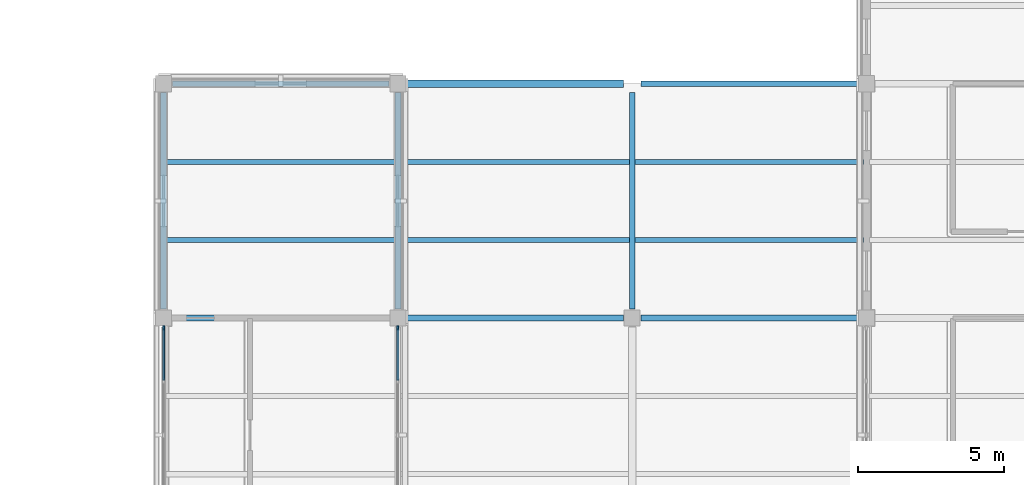
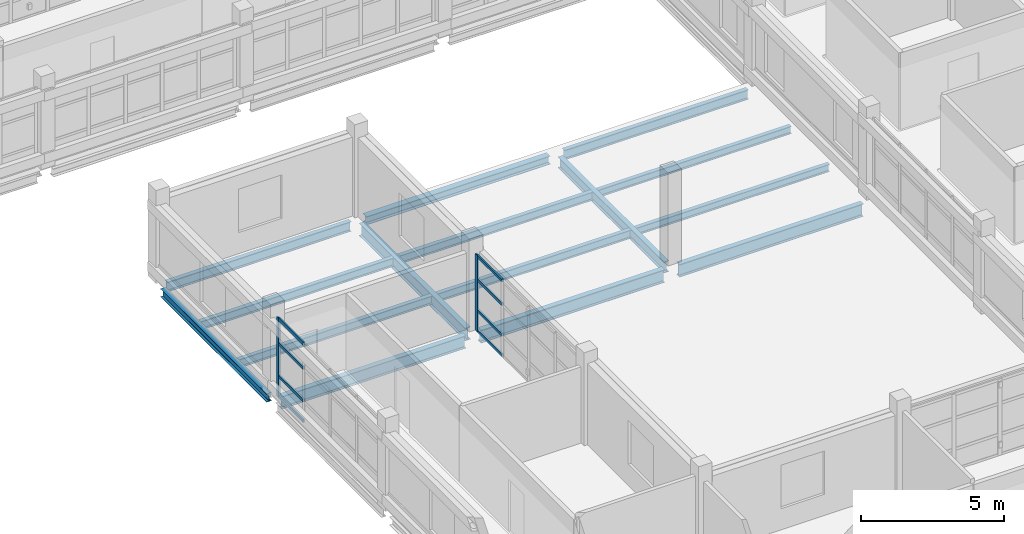
# One storey, part 42 of 107: 15 beams, 10 members, 2 elements without a shape of their own.
"""IFC4 building model written with IfcOpenShell, lengths in metres."""

from ifc_helpers import new_model, si_unit, derived_unit, direction, frame, origin, origin_2d, place, context, subcontext, project, spatial, rectangle, i_section, extrude, material, layer, layer_set, material_profile, profile_set, type_object, element, aggregate, save


model = new_model("IFC4")

# Units and contexts
model_context = context("Model", 3, precision=1e-05, world=origin(), true_north=direction((0.0, 1.0)))
body_context = subcontext(model_context, "Body", "Model", "MODEL_VIEW")
ifc_project = project(units=[si_unit("LENGTHUNIT", "METRE"), si_unit("AREAUNIT", "SQUARE_METRE"), si_unit("VOLUMEUNIT", "CUBIC_METRE"), si_unit("PLANEANGLEUNIT", "RADIAN"), si_unit("MASSUNIT", "GRAM", prefix="KILO"), derived_unit("THERMALTRANSMITTANCEUNIT", [(si_unit("MASSUNIT", "GRAM", prefix="KILO"), 1), (si_unit("TIMEUNIT", "SECOND"), -3), (si_unit("THERMODYNAMICTEMPERATUREUNIT", "KELVIN"), -1)])], contexts=[model_context])

# Site, building, storey
site_placement = place(None, origin())
site = spatial("IfcSite", under=ifc_project, at=site_placement, CompositionType="ELEMENT")
building_placement = place(site_placement, origin())
building = spatial("IfcBuilding", under=site, at=building_placement, Name="Veyamyaing Civic Hall", CompositionType="ELEMENT")
storey_placement = place(building_placement, frame((0.0, 0.0, 13.860107421875)))
storey = spatial("IfcBuildingStorey", under=building, at=storey_placement, Name="L03", CompositionType="ELEMENT", Elevation=13.860107421875)

# Beams
ifc_material_1 = material(Name="Steel ASTM A992", Category="steel")
ifc_material_profile_1 = material_profile(ifc_material_1, i_section(OverallWidth=0.208984375, OverallDepth=0.532958984375, WebThickness=0.01025390625, FlangeThickness=0.015625, FilletRadius=0.011962890625, at=origin_2d()), Name="W530X92")
ifc_profile_set_1 = profile_set([ifc_material_profile_1], Name="Steel ASTM A992")
beam_type_1 = type_object("IfcBeamType", Name="B-07", PredefinedType="BEAM", material=ifc_profile_set_1)
beam_1_placement = place(storey_placement, frame((136.300048828125, 32.0, -0.521728515625), z_axis=(1.0, 0.0, 0.0), x_axis=(0.0, 1.0, 0.0)))
element("IfcBeam", 1, at=beam_1_placement, inside=storey, type_object=beam_type_1, Name="Girder B-07 L03 Grid E 18-19", PredefinedType="BEAM", context=body_context, shape_type="SweptSolid", body=[
    extrude(i_section(OverallWidth=0.208984375, OverallDepth=0.532958984375, WebThickness=0.01025390625, FlangeThickness=0.015625, FilletRadius=0.011962890625, at=origin_2d()), origin(), (0.0, 0.0, 1.0), 7.39990234375),
])
ifc_material_profile_2 = material_profile(ifc_material_1, i_section(OverallWidth=0.179931640625, OverallDepth=0.4130859375, WebThickness=0.009765625, FlangeThickness=0.01611328125, FilletRadius=0.010009765625, at=origin_2d()), Name="W410X74")
ifc_profile_set_2 = profile_set([ifc_material_profile_2], Name="Steel ASTM A992")
beam_type_2 = type_object("IfcBeamType", Name="B-10", PredefinedType="SPANDREL", material=ifc_profile_set_2)
beam_2_placement = place(storey_placement, frame((152.300048828125, 40.0, -0.446533203125), z_axis=(1.0, 0.0, 0.0), x_axis=(0.0, 1.0, 0.0)))
element("IfcBeam", 2, at=beam_2_placement, inside=storey, type_object=beam_type_2, Name="Girder B-10 L03 Grid F 20-21", PredefinedType="SPANDREL", context=body_context, shape_type="SweptSolid", body=[
    extrude(i_section(OverallWidth=0.179931640625, OverallDepth=0.4130859375, WebThickness=0.009765625, FlangeThickness=0.01611328125, FilletRadius=0.010009765625, at=origin_2d()), origin(), (0.0, 0.0, 1.0), 7.39990234375),
])
ifc_material_profile_3 = material_profile(ifc_material_1, i_section(OverallWidth=0.2041015625, OverallDepth=0.35009765625, WebThickness=0.0078125, FlangeThickness=0.01513671875, FilletRadius=0.010009765625, at=origin_2d()), Name="W360X72")
ifc_profile_set_3 = profile_set([ifc_material_profile_3], Name="Steel ASTM A992")
beam_type_3 = type_object("IfcBeamType", Name="B-11", PredefinedType="SPANDREL", material=ifc_profile_set_3)
beam_3_placement = place(storey_placement, frame((136.0, 32.300048828125, -0.43017578125), z_axis=(0.0, 1.0, 0.0), x_axis=(-1.0, 0.0, 0.0)))
element("IfcBeam", 3, at=beam_3_placement, inside=storey, type_object=beam_type_3, Name="Girder B-11 L03 Grid 18 E-F", PredefinedType="SPANDREL", context=body_context, shape_type="SweptSolid", body=[
    extrude(i_section(OverallWidth=0.2041015625, OverallDepth=0.35009765625, WebThickness=0.0078125, FlangeThickness=0.01513671875, FilletRadius=0.010009765625, at=origin_2d()), origin(), (0.0, 0.0, 1.0), 7.39990234375),
])
ifc_material_profile_4 = material_profile(ifc_material_1, i_section(OverallWidth=0.214111328125, OverallDepth=0.549072265625, WebThickness=0.0146484375, FlangeThickness=0.023681640625, FilletRadius=0.011962890625, at=origin_2d()), Name="W530X138")
ifc_profile_set_4 = profile_set([ifc_material_profile_4], Name="Steel ASTM A992")
beam_type_4 = type_object("IfcBeamType", Name="B-16", PredefinedType="BEAM", material=ifc_profile_set_4)
beam_4_placement = place(storey_placement, frame((144.300048828125, 32.0, -0.5146484375), z_axis=(1.0, 0.0, 0.0), x_axis=(0.0, 1.0, 0.0)))
element("IfcBeam", 4, at=beam_4_placement, inside=storey, type_object=beam_type_4, Name="Girder B-16 L03 Grid E 19-20", PredefinedType="BEAM", context=body_context, shape_type="SweptSolid", body=[
    extrude(i_section(OverallWidth=0.214111328125, OverallDepth=0.549072265625, WebThickness=0.0146484375, FlangeThickness=0.023681640625, FilletRadius=0.011962890625, at=origin_2d()), origin(), (0.0, 0.0, 1.0), 7.39990234375),
])
ifc_material_profile_5 = material_profile(ifc_material_1, i_section(OverallWidth=0.2109375, OverallDepth=0.5390625, WebThickness=0.01171875, FlangeThickness=0.018798828125, FilletRadius=0.011962890625, at=origin_2d()), Name="W530X109")
ifc_profile_set_5 = profile_set([ifc_material_profile_5], Name="Steel ASTM A992")
beam_type_5 = type_object("IfcBeamType", Name="B-17", PredefinedType="BEAM", material=ifc_profile_set_5)
for number, where, z_axis, x_axis, name in (
    (5, (152.300048828125, 32.0, -0.509521484375), (1.0, 0.0, 0.0), (0.0, 1.0, 0.0), "Girder B-17 L03 Grid E 20-21"),
    (6, (144.0, 32.300048828125, -0.524658203125), (0.0, 1.0, 0.0), (-1.0, 0.0, 0.0), "Girder B-17 L03 Grid 19 E-F"),
):
    element("IfcBeam", number, at=place(storey_placement, frame(where, z_axis=z_axis, x_axis=x_axis)), inside=storey, type_object=beam_type_5, Name=name, PredefinedType="BEAM", context=body_context, shape_type="SweptSolid", body=[
        extrude(i_section(OverallWidth=0.2109375, OverallDepth=0.5390625, WebThickness=0.01171875, FlangeThickness=0.018798828125, FilletRadius=0.011962890625, at=origin_2d()), origin(), (0.0, 0.0, 1.0), 7.39990234375),
    ])
ifc_material_profile_6 = material_profile(ifc_material_1, i_section(OverallWidth=0.194091796875, OverallDepth=0.468994140625, WebThickness=0.0126953125, FlangeThickness=0.0205078125, FilletRadius=0.010009765625, at=origin_2d()), Name="W460X106")
ifc_profile_set_6 = profile_set([ifc_material_profile_6], Name="Steel ASTM A992")
beam_type_6 = type_object("IfcBeamType", Name="B-18", PredefinedType="BEAM", material=ifc_profile_set_6)
beam_5_placement = place(storey_placement, frame((152.0, 32.300048828125, -0.474609375), z_axis=(0.0, 1.0, 0.0), x_axis=(-1.0, 0.0, 0.0)))
element("IfcBeam", 7, at=beam_5_placement, inside=storey, type_object=beam_type_6, Name="Girder B-18 L03 Grid 20 E-F", PredefinedType="BEAM", context=body_context, shape_type="SweptSolid", body=[
    extrude(i_section(OverallWidth=0.194091796875, OverallDepth=0.468994140625, WebThickness=0.0126953125, FlangeThickness=0.0205078125, FilletRadius=0.010009765625, at=origin_2d()), origin(), (0.0, 0.0, 1.0), 7.39990234375),
])
ifc_material_profile_7 = material_profile(ifc_material_1, i_section(OverallWidth=0.180908203125, OverallDepth=0.4169921875, WebThickness=0.010986328125, FlangeThickness=0.018310546875, FilletRadius=0.010009765625, at=origin_2d()), Name="W410X85")
ifc_profile_set_7 = profile_set([ifc_material_profile_7], Name="Steel ASTM A992")
beam_type_7 = type_object("IfcBeamType", Name="B-19", PredefinedType="SPANDREL", material=ifc_profile_set_7)
beam_6_placement = place(storey_placement, frame((136.300048828125, 40.0, -0.463623046875), z_axis=(1.0, 0.0, 0.0), x_axis=(0.0, 1.0, 0.0)))
element("IfcBeam", 8, at=beam_6_placement, inside=storey, type_object=beam_type_7, Name="Girder B-19 L03 Grid F 18-19", PredefinedType="SPANDREL", context=body_context, shape_type="SweptSolid", body=[
    extrude(i_section(OverallWidth=0.180908203125, OverallDepth=0.4169921875, WebThickness=0.010986328125, FlangeThickness=0.018310546875, FilletRadius=0.010009765625, at=origin_2d()), origin(), (0.0, 0.0, 1.0), 7.39990234375),
])
ifc_material_profile_8 = material_profile(ifc_material_1, i_section(OverallWidth=0.25390625, OverallDepth=0.35302734375, WebThickness=0.009521484375, FlangeThickness=0.016357421875, FilletRadius=0.011962890625, at=origin_2d()), Name="W360X91")
ifc_profile_set_8 = profile_set([ifc_material_profile_8], Name="Steel ASTM A992")
beam_type_8 = type_object("IfcBeamType", Name="B-20", PredefinedType="SPANDREL", material=ifc_profile_set_8)
beam_7_placement = place(storey_placement, frame((144.300048828125, 40.0, -0.41650390625), z_axis=(1.0, 0.0, 0.0), x_axis=(0.0, 1.0, 0.0)))
element("IfcBeam", 9, at=beam_7_placement, inside=storey, type_object=beam_type_8, Name="Girder B-20 L03 Grid F 19-20", PredefinedType="SPANDREL", context=body_context, shape_type="SweptSolid", body=[
    extrude(i_section(OverallWidth=0.25390625, OverallDepth=0.35302734375, WebThickness=0.009521484375, FlangeThickness=0.016357421875, FilletRadius=0.011962890625, at=origin_2d()), origin(), (0.0, 0.0, 1.0), 7.39990234375),
])

# Curtain wall, member
ifc_material_2 = material(Name="Anodised aluminium 6063-T6", Category="aluminium")
ifc_layer = layer(ifc_material_2, 0.159912109375, Name="Anodised aluminium 6063-T6")
ifc_layer_set = layer_set([ifc_layer], Name="Anodised aluminium 6063-T6")
curtain_wall_type = type_object("IfcCurtainWallType", Name="CW-07", PredefinedType="NOTDEFINED", material=ifc_layer_set)
curtain_wall_1_placement = place(storey_placement, origin())
curtain_wall_1 = element("IfcCurtainWall", 10, at=curtain_wall_1_placement, inside=storey, type_object=curtain_wall_type, Name="Unitized curtain wall CW-07 L03 W 18.4", PredefinedType="NOTDEFINED")
ifc_material_profile_9 = material_profile(ifc_material_2, rectangle(XDim=0.06494140625, YDim=0.159912109375, at=origin_2d()), Name="ALU-MUL-65X160")
ifc_profile_set_9 = profile_set([ifc_material_profile_9], Name="Anodised aluminium 6063-T6")
member_type_1 = type_object("IfcMemberType", Name="CWM-01", PredefinedType="MULLION", material=ifc_profile_set_9)
member_1_placement = place(storey_placement, frame((136.0, 31.66259765625, 0.0), z_axis=(0.0, 0.0, 1.0), x_axis=(-1.0, 0.0, 0.0)))
member_1 = element("IfcMember", 11, at=member_1_placement, type_object=member_type_1, Name="CW-07 mullion 5", PredefinedType="MULLION", context=body_context, shape_type="SweptSolid", body=[
    extrude(rectangle(XDim=0.06494140625, YDim=0.159912109375, at=origin_2d()), origin(), (0.0, 0.0, 1.0), 3.36181640625),
])

curtain_wall_2_placement = place(storey_placement, origin())
curtain_wall_2 = element("IfcCurtainWall", 12, at=curtain_wall_2_placement, inside=storey, type_object=curtain_wall_type, Name="Unitized curtain wall CW-07 L03 E 18.4", PredefinedType="NOTDEFINED")
member_2_placement = place(storey_placement, frame((144.0, 31.66259765625, 0.0), z_axis=(0.0, 0.0, 1.0), x_axis=(-1.0, 0.0, 0.0)))
member_2 = element("IfcMember", 13, at=member_2_placement, type_object=member_type_1, Name="CW-07 mullion 5", PredefinedType="MULLION", context=body_context, shape_type="SweptSolid", body=[
    extrude(rectangle(XDim=0.06494140625, YDim=0.159912109375, at=origin_2d()), origin(), (0.0, 0.0, 1.0), 3.248779296875),
])

# Member
ifc_material_profile_10 = material_profile(ifc_material_2, rectangle(XDim=0.06494140625, YDim=0.1201171875, at=origin_2d()), Name="ALU-TRN-65X120")
ifc_profile_set_10 = profile_set([ifc_material_profile_10], Name="Anodised aluminium 6063-T6")
member_type_2 = type_object("IfcMemberType", Name="CWT-01", PredefinedType="USERDEFINED", material=ifc_profile_set_10)
member_3_placement = place(storey_placement, frame((136.0, 29.8798828125, 0.032470703125), z_axis=(0.0, 1.0, 0.0), x_axis=(-1.0, 0.0, 0.0)))
member_3 = element("IfcMember", 14, at=member_3_placement, type_object=member_type_2, Name="CW-07 transom 4.1", ObjectType="TRANSOM", PredefinedType="USERDEFINED", context=body_context, shape_type="SweptSolid", body=[
    extrude(rectangle(XDim=0.06494140625, YDim=0.1201171875, at=origin_2d()), origin(), (0.0, 0.0, 1.0), 1.75),
])

member_4_placement = place(storey_placement, frame((136.0, 29.8798828125, 0.89990234375), z_axis=(0.0, 1.0, 0.0), x_axis=(-1.0, 0.0, 0.0)))
member_4 = element("IfcMember", 15, at=member_4_placement, type_object=member_type_2, Name="CW-07 transom 4.2", ObjectType="TRANSOM", PredefinedType="USERDEFINED", context=body_context, shape_type="SweptSolid", body=[
    extrude(rectangle(XDim=0.06494140625, YDim=0.1201171875, at=origin_2d()), origin(), (0.0, 0.0, 1.0), 1.75),
])

member_5_placement = place(storey_placement, frame((136.0, 29.8798828125, 2.2861328125), z_axis=(0.0, 1.0, 0.0), x_axis=(-1.0, 0.0, 0.0)))
member_5 = element("IfcMember", 16, at=member_5_placement, type_object=member_type_2, Name="CW-07 transom 4.3", ObjectType="TRANSOM", PredefinedType="USERDEFINED", context=body_context, shape_type="SweptSolid", body=[
    extrude(rectangle(XDim=0.06494140625, YDim=0.1201171875, at=origin_2d()), origin(), (0.0, 0.0, 1.0), 1.75),
])

member_6_placement = place(storey_placement, frame((136.0, 29.8798828125, 3.329345703125), z_axis=(0.0, 1.0, 0.0), x_axis=(-1.0, 0.0, 0.0)))
member_6 = element("IfcMember", 17, at=member_6_placement, type_object=member_type_2, Name="CW-07 transom 4.4", ObjectType="TRANSOM", PredefinedType="USERDEFINED", context=body_context, shape_type="SweptSolid", body=[
    extrude(rectangle(XDim=0.06494140625, YDim=0.1201171875, at=origin_2d()), origin(), (0.0, 0.0, 1.0), 1.75),
])

aggregate(curtain_wall_1, [member_1, member_3, member_4, member_5, member_6])

member_7_placement = place(storey_placement, frame((144.0, 29.8798828125, 0.032470703125), z_axis=(0.0, 1.0, 0.0), x_axis=(-1.0, 0.0, 0.0)))
member_7 = element("IfcMember", 18, at=member_7_placement, type_object=member_type_2, Name="CW-07 transom 4.1", ObjectType="TRANSOM", PredefinedType="USERDEFINED", context=body_context, shape_type="SweptSolid", body=[
    extrude(rectangle(XDim=0.06494140625, YDim=0.1201171875, at=origin_2d()), origin(), (0.0, 0.0, 1.0), 1.75),
])

member_8_placement = place(storey_placement, frame((144.0, 29.8798828125, 0.89990234375), z_axis=(0.0, 1.0, 0.0), x_axis=(-1.0, 0.0, 0.0)))
member_8 = element("IfcMember", 19, at=member_8_placement, type_object=member_type_2, Name="CW-07 transom 4.2", ObjectType="TRANSOM", PredefinedType="USERDEFINED", context=body_context, shape_type="SweptSolid", body=[
    extrude(rectangle(XDim=0.06494140625, YDim=0.1201171875, at=origin_2d()), origin(), (0.0, 0.0, 1.0), 1.75),
])

member_9_placement = place(storey_placement, frame((144.0, 29.8798828125, 2.209228515625), z_axis=(0.0, 1.0, 0.0), x_axis=(-1.0, 0.0, 0.0)))
member_9 = element("IfcMember", 20, at=member_9_placement, type_object=member_type_2, Name="CW-07 transom 4.3", ObjectType="TRANSOM", PredefinedType="USERDEFINED", context=body_context, shape_type="SweptSolid", body=[
    extrude(rectangle(XDim=0.06494140625, YDim=0.1201171875, at=origin_2d()), origin(), (0.0, 0.0, 1.0), 1.75),
])

member_10_placement = place(storey_placement, frame((144.0, 29.8798828125, 3.21630859375), z_axis=(0.0, 1.0, 0.0), x_axis=(-1.0, 0.0, 0.0)))
member_10 = element("IfcMember", 21, at=member_10_placement, type_object=member_type_2, Name="CW-07 transom 4.4", ObjectType="TRANSOM", PredefinedType="USERDEFINED", context=body_context, shape_type="SweptSolid", body=[
    extrude(rectangle(XDim=0.06494140625, YDim=0.1201171875, at=origin_2d()), origin(), (0.0, 0.0, 1.0), 1.75),
])

aggregate(curtain_wall_2, [member_2, member_7, member_8, member_9, member_10])

# Beams
ifc_material_profile_11 = material_profile(ifc_material_1, i_section(OverallWidth=0.172119140625, OverallDepth=0.35791015625, WebThickness=0.0078125, FlangeThickness=0.01318359375, FilletRadius=0.010009765625, at=origin_2d()), Name="W360X57")
ifc_profile_set_11 = profile_set([ifc_material_profile_11], Name="Steel ASTM A992")
beam_type_9 = type_object("IfcBeamType", Name="J-02", PredefinedType="JOIST", material=ifc_profile_set_11)
for number, where, z_axis, x_axis, name in (
    (22, (136.10009765625, 34.666748046875, -0.43408203125), (1.0, 0.0, 0.0), (0.0, 1.0, 0.0), "Composite floor joist J-02 L03 18.5.1"),
    (23, (136.10009765625, 37.333251953125, -0.43408203125), (1.0, 0.0, 0.0), (0.0, 1.0, 0.0), "Composite floor joist J-02 L03 18.5.2"),
):
    element("IfcBeam", number, at=place(storey_placement, frame(where, z_axis=z_axis, x_axis=x_axis)), inside=storey, type_object=beam_type_9, Name=name, PredefinedType="JOIST", context=body_context, shape_type="SweptSolid", body=[
        extrude(i_section(OverallWidth=0.172119140625, OverallDepth=0.35791015625, WebThickness=0.0078125, FlangeThickness=0.01318359375, FilletRadius=0.010009765625, at=origin_2d()), origin(), (0.0, 0.0, 1.0), 7.79638671875),
    ])
ifc_material_profile_12 = material_profile(ifc_material_1, i_section(OverallWidth=0.1708984375, OverallDepth=0.35205078125, WebThickness=0.0068359375, FlangeThickness=0.009765625, FilletRadius=0.010009765625, at=origin_2d()), Name="W360X44")
ifc_profile_set_12 = profile_set([ifc_material_profile_12], Name="Steel ASTM A992")
beam_type_10 = type_object("IfcBeamType", Name="J-03", PredefinedType="JOIST", material=ifc_profile_set_12)
for number, where, z_axis, x_axis, name in (
    (24, (144.103515625, 34.666748046875, -0.43115234375), (1.0, 0.0, 0.0), (0.0, 1.0, 0.0), "Composite floor joist J-03 L03 19.5.1"),
    (25, (144.103515625, 37.333251953125, -0.43115234375), (1.0, 0.0, 0.0), (0.0, 1.0, 0.0), "Composite floor joist J-03 L03 19.5.2"),
):
    element("IfcBeam", number, at=place(storey_placement, frame(where, z_axis=z_axis, x_axis=x_axis)), inside=storey, type_object=beam_type_10, Name=name, PredefinedType="JOIST", context=body_context, shape_type="SweptSolid", body=[
        extrude(i_section(OverallWidth=0.1708984375, OverallDepth=0.35205078125, WebThickness=0.0068359375, FlangeThickness=0.009765625, FilletRadius=0.010009765625, at=origin_2d()), origin(), (0.0, 0.0, 1.0), 7.801513671875),
    ])
ifc_material_profile_13 = material_profile(ifc_material_1, i_section(OverallWidth=0.1669921875, OverallDepth=0.318115234375, WebThickness=0.007568359375, FlangeThickness=0.01318359375, FilletRadius=0.010009765625, at=origin_2d()), Name="W310X52")
ifc_profile_set_13 = profile_set([ifc_material_profile_13], Name="Steel ASTM A992")
beam_type_11 = type_object("IfcBeamType", Name="J-04", PredefinedType="JOIST", material=ifc_profile_set_13)
for number, where, z_axis, x_axis, name in (
    (26, (152.094970703125, 34.666748046875, -0.4140625), (1.0, 0.0, 0.0), (0.0, 1.0, 0.0), "Composite floor joist J-04 L03 20.5.1"),
    (27, (152.094970703125, 37.333251953125, -0.4140625), (1.0, 0.0, 0.0), (0.0, 1.0, 0.0), "Composite floor joist J-04 L03 20.5.2"),
):
    element("IfcBeam", number, at=place(storey_placement, frame(where, z_axis=z_axis, x_axis=x_axis)), inside=storey, type_object=beam_type_11, Name=name, PredefinedType="JOIST", context=body_context, shape_type="SweptSolid", body=[
        extrude(i_section(OverallWidth=0.1669921875, OverallDepth=0.318115234375, WebThickness=0.007568359375, FlangeThickness=0.01318359375, FilletRadius=0.010009765625, at=origin_2d()), origin(), (0.0, 0.0, 1.0), 7.802490234375),
    ])

save(model, "model.ifc")
